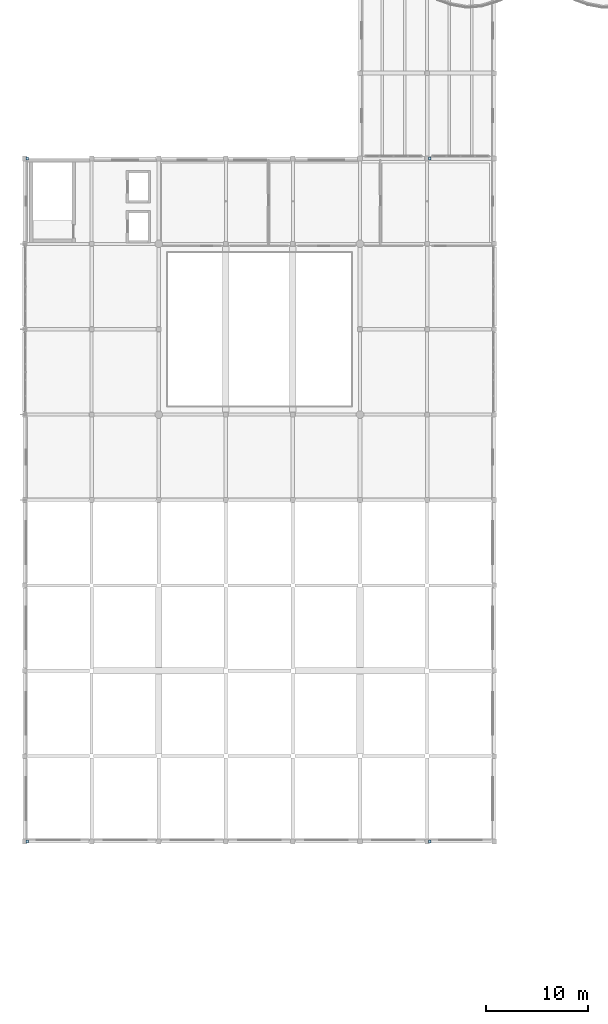
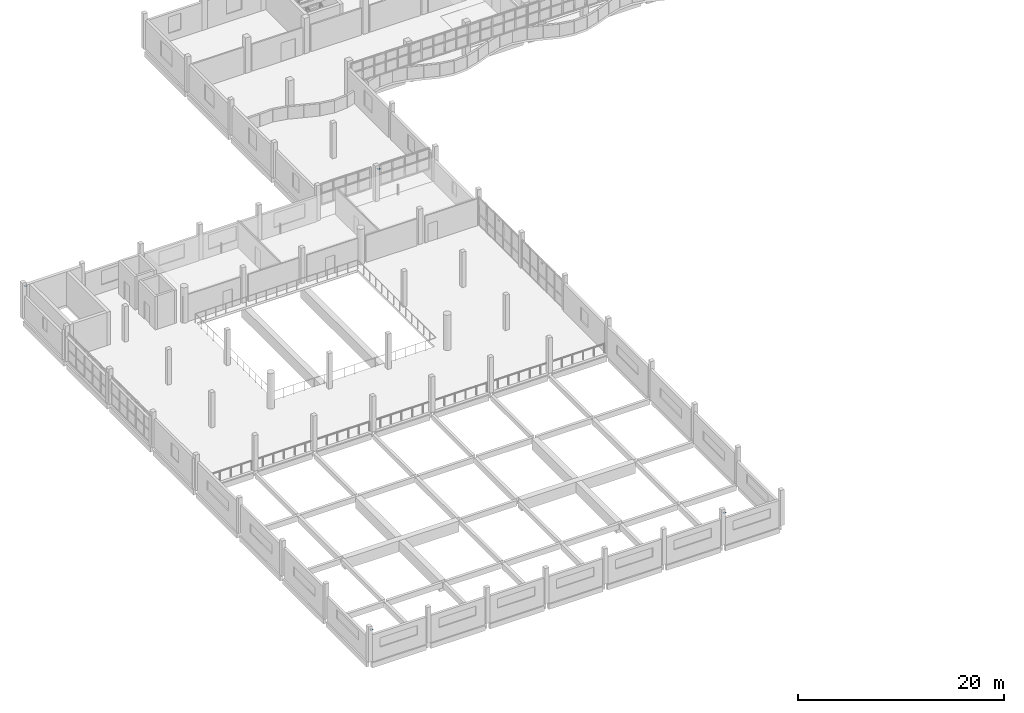
# One storey, part 44 of 74: 4 plates.
"""IFC4 building model written with IfcOpenShell, lengths in metres."""

from ifc_helpers import new_model, si_unit, direction, frame, origin, origin_2d, place, context, subcontext, project, spatial, rectangle, extrude, material, layer, layer_set, type_object, element, save


model = new_model("IFC4")

# Units and contexts
model_context = context("Model", 3, precision=1e-05, world=origin(), true_north=direction((0.0, 1.0)))
body_context = subcontext(model_context, "Body", "Model", "MODEL_VIEW")
ifc_project = project(units=[si_unit("LENGTHUNIT", "METRE"), si_unit("AREAUNIT", "SQUARE_METRE"), si_unit("VOLUMEUNIT", "CUBIC_METRE"), si_unit("PLANEANGLEUNIT", "RADIAN"), si_unit("MASSUNIT", "GRAM", prefix="KILO")], contexts=[model_context])

# Site, building, storey
site_placement = place(None, origin())
site = spatial("IfcSite", under=ifc_project, at=site_placement, CompositionType="ELEMENT")
building_placement = place(site_placement, origin())
building = spatial("IfcBuilding", under=site, at=building_placement, Name="Qaldarim Faculty of Natural and Applied Sciences", CompositionType="ELEMENT")
storey_placement = place(building_placement, frame((0.0, 0.0, 14.39990234375)))
storey = spatial("IfcBuildingStorey", under=building, at=storey_placement, Name="L03", CompositionType="ELEMENT", Elevation=14.39990234375)

# Plates
ifc_material = material(Name="Structural steel S355", Category="steel")
ifc_layer = layer(ifc_material, 0.013916015625)
ifc_layer_set = layer_set([ifc_layer], Name="Structural steel S355")
plate_type = type_object("IfcPlateType", Name="CapPlate-S355-260x260x14", PredefinedType="SHEET", material=ifc_layer_set)
for number, where, z_axis, x_axis, name in (
    (1, (0.25, 16.800048828125, 3.63330078125), (0.0, 0.0, 1.0), (1.0, 0.0, 0.0), "Strut end cap plate SH-STRUT-B1-S1 A"),
    (2, (0.25, 84.0, 3.63330078125), (0.0, 0.0, 1.0), (1.0, 0.0, 0.0), "Strut end cap plate SH-STRUT-B1-N1 A"),
    (3, (39.85009765625, 16.800048828125, 3.63330078125), (0.0, 0.0, 1.0), (1.0, 0.0, 0.0), "Strut end cap plate SH-STRUT-B7-S1 A"),
    (4, (39.85009765625, 84.0, 3.63330078125), (0.0, 0.0, 1.0), (1.0, 0.0, 0.0), "Strut end cap plate SH-STRUT-B7-N1 A"),
):
    element("IfcPlate", number, at=place(storey_placement, frame(where, z_axis=z_axis, x_axis=x_axis)), inside=storey, type_object=plate_type, Name=name, PredefinedType="SHEET", context=body_context, shape_type="SweptSolid", body=[
        extrude(rectangle(XDim=0.260009765625, YDim=0.260009765625, at=origin_2d()), origin(), (0.0, 0.0, 1.0), 0.013916015625),
    ])

save(model, "model.ifc")
